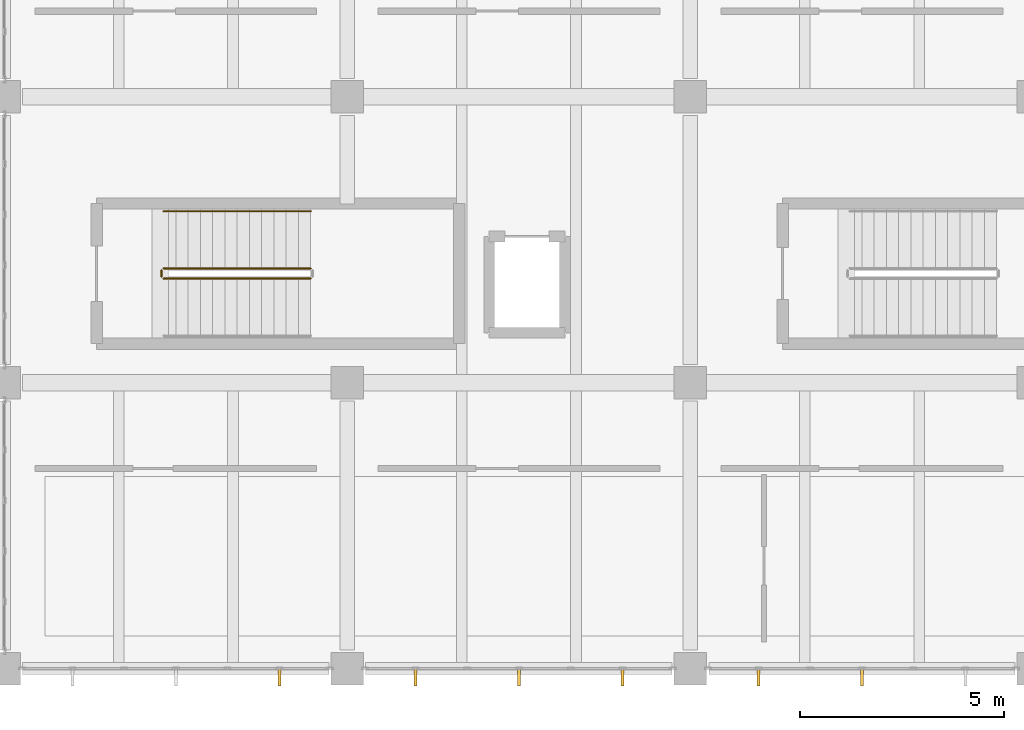
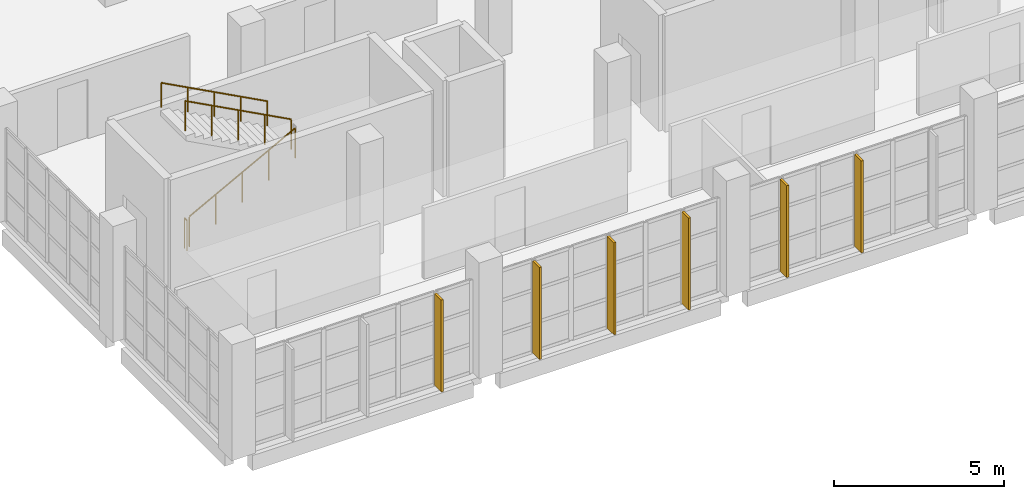
# One storey, part 159 of 177: 6 shading devices, 4 railings.
"""IFC4 building model written with IfcOpenShell, lengths in metres."""

from ifc_helpers import new_model, si_unit, direction, frame, origin, origin_2d, place, context, subcontext, project, spatial, rectangle, circle, extrude, material, type_object, element, save


model = new_model("IFC4")

# Units and contexts
model_context = context("Model", 3, precision=1e-05, world=origin(), true_north=direction((0.0, 1.0)))
body_context = subcontext(model_context, "Body", "Model", "MODEL_VIEW")
ifc_project = project(units=[si_unit("LENGTHUNIT", "METRE"), si_unit("AREAUNIT", "SQUARE_METRE"), si_unit("VOLUMEUNIT", "CUBIC_METRE"), si_unit("PLANEANGLEUNIT", "RADIAN"), si_unit("MASSUNIT", "GRAM", prefix="KILO"), si_unit("THERMODYNAMICTEMPERATUREUNIT", "KELVIN"), si_unit("POWERUNIT", "WATT")], contexts=[model_context])

# Site, building, storey
site_placement = place(None, origin())
site = spatial("IfcSite", under=ifc_project, at=site_placement, CompositionType="ELEMENT")
building_placement = place(site_placement, origin())
building = spatial("IfcBuilding", under=site, at=building_placement, Name="Mavoryth Pier Ferry Terminal", CompositionType="ELEMENT")
storey_placement = place(building_placement, frame((0.0, 0.0, 5.43994140625)))
storey = spatial("IfcBuildingStorey", under=building, at=storey_placement, Name="L01", CompositionType="ELEMENT", Elevation=5.43994140625)

# Shading devices
ifc_material_1 = material(Name="Anodised Aluminium Solar-Shading Fin", Category="aluminium")
shading_device_type = type_object("IfcShadingDeviceType", Name="Fin-BriseSoleil-400x75x3300", PredefinedType="SHUTTER", material=ifc_material_1)
for number, where, z_axis, x_axis, name in (
    (1, (48.7333984375, -0.22412109375, 0.0), (0.0, 0.0, 1.0), (1.0, 0.0, 0.0), "Solar Shading Fin 84"),
    (2, (52.066650390625, -0.22412109375, 0.0), (0.0, 0.0, 1.0), (1.0, 0.0, 0.0), "Solar Shading Fin 85"),
    (3, (54.60009765625, -0.22412109375, 0.0), (0.0, 0.0, 1.0), (1.0, 0.0, 0.0), "Solar Shading Fin 86"),
    (4, (57.13330078125, -0.22412109375, 0.0), (0.0, 0.0, 1.0), (1.0, 0.0, 0.0), "Solar Shading Fin 87"),
    (5, (60.466796875, -0.22412109375, 0.0), (0.0, 0.0, 1.0), (1.0, 0.0, 0.0), "Solar Shading Fin 88"),
    (6, (63.0, -0.22412109375, 0.0), (0.0, 0.0, 1.0), (1.0, 0.0, 0.0), "Solar Shading Fin 89"),
):
    element("IfcShadingDevice", number, at=place(storey_placement, frame(where, z_axis=z_axis, x_axis=x_axis)), inside=storey, type_object=shading_device_type, Name=name, PredefinedType="SHUTTER", context=body_context, shape_type="SweptSolid", body=[
        extrude(rectangle(XDim=0.074951171875, YDim=0.39990234375, at=origin_2d()), origin(), (0.0, 0.0, 1.0), 3.300048828125),
    ])

# Railings
ifc_material_2 = material(Name="Painted Galvanised Steel Balustrade", Category="steel")
railing_type_1 = type_object("IfcRailingType", Name="Guard-Stair-Steel1100", PredefinedType="GUARDRAIL", material=ifc_material_2)
railing_1_placement = place(storey_placement, frame((45.89990234375, 9.550048828125, 0.16015625)))
element("IfcRailing", 7, at=railing_1_placement, inside=storey, type_object=railing_type_1, Name="L01 ST11 stair guard 1", PredefinedType="GUARDRAIL", context=body_context, shape_type="SweptSolid", body=[
    extrude(circle(Radius=0.02392578125, at=origin_2d()), frame((0.0, 0.0, 1.076171875), z_axis=(0.882366192074, 0.0, 0.470563389019), x_axis=(0.0, 1.0, 0.0)), (0.0, 0.0, 1.0), 4.080078125),
    extrude(circle(Radius=0.02099609375, at=origin_2d()), origin(), (0.0, 0.0, 1.0), 1.052001953125),
    extrude(circle(Radius=0.02099609375, at=origin_2d()), frame((0.89990234375, 0.0, 0.47998046875)), (0.0, 0.0, 1.0), 1.052001953125),
    extrude(circle(Radius=0.02099609375, at=origin_2d()), frame((1.800048828125, 0.0, 0.9599609375)), (0.0, 0.0, 1.0), 1.052001953125),
    extrude(circle(Radius=0.02099609375, at=origin_2d()), frame((2.7001953125, 0.0, 1.43994140625)), (0.0, 0.0, 1.0), 1.052001953125),
    extrude(circle(Radius=0.02099609375, at=origin_2d()), frame((3.60009765625, 0.0, 1.919921875)), (0.0, 0.0, 1.0), 1.052001953125),
])
railing_2_placement = place(storey_placement, frame((49.5, 9.800048828125, 2.239990234375)))
element("IfcRailing", 8, at=railing_2_placement, inside=storey, type_object=railing_type_1, Name="L01 ST11 stair guard 3", PredefinedType="GUARDRAIL", context=body_context, shape_type="SweptSolid", body=[
    extrude(circle(Radius=0.02392578125, at=origin_2d()), frame((0.0, 0.0, 1.076171875), z_axis=(-0.882341346394, 0.0, 0.470609974867), x_axis=(0.0, -1.0, 0.0)), (0.0, 0.0, 1.0), 4.080078125),
    extrude(circle(Radius=0.02099609375, at=origin_2d()), origin(), (0.0, 0.0, 1.0), 1.052001953125),
    extrude(circle(Radius=0.02099609375, at=origin_2d()), frame((-0.89990234375, 0.0, 0.47998046875)), (0.0, 0.0, 1.0), 1.052001953125),
    extrude(circle(Radius=0.02099609375, at=origin_2d()), frame((-1.800048828125, 0.0, 0.9599609375)), (0.0, 0.0, 1.0), 1.052001953125),
    extrude(circle(Radius=0.02099609375, at=origin_2d()), frame((-2.7001953125, 0.0, 1.440185546875)), (0.0, 0.0, 1.0), 1.052001953125),
    extrude(circle(Radius=0.02099609375, at=origin_2d()), frame((-3.60009765625, 0.0, 1.920166015625)), (0.0, 0.0, 1.0), 1.052001953125),
])
railing_3_placement = place(storey_placement, frame((45.85009765625, 9.60009765625, 0.0)))
element("IfcRailing", 9, at=railing_3_placement, inside=storey, type_object=railing_type_1, Name="L01 ST11 stair guard 4", PredefinedType="GUARDRAIL", context=body_context, shape_type="SweptSolid", body=[
    extrude(circle(Radius=0.02392578125, at=origin_2d()), frame((0.0, 0.0, 1.076171875), z_axis=(0.0, 1.0, 0.0), x_axis=(-1.0, 0.0, 0.0)), (0.0, 0.0, 1.0), 0.14990234375),
    extrude(circle(Radius=0.02099609375, at=origin_2d()), origin(), (0.0, 0.0, 1.0), 1.052001953125),
    extrude(circle(Radius=0.02099609375, at=origin_2d()), frame((0.0, 0.14990234375, 0.0)), (0.0, 0.0, 1.0), 1.052001953125),
])
ifc_material_3 = material(Name="Brushed Stainless Steel Tubular Handrail", Category="steel")
railing_type_2 = type_object("IfcRailingType", Name="Handrail-Stair-SS900", PredefinedType="HANDRAIL", material=ifc_material_3)
railing_4_placement = place(storey_placement, frame((49.5, 11.199951171875, 2.239990234375)))
element("IfcRailing", 10, at=railing_4_placement, inside=storey, type_object=railing_type_2, Name="L01 ST11 stair handrail 2", PredefinedType="HANDRAIL", context=body_context, shape_type="SweptSolid", body=[
    extrude(circle(Radius=0.02392578125, at=origin_2d()), frame((0.0, 0.0, 0.8759765625), z_axis=(-0.882341346394, 0.0, 0.470609974867), x_axis=(0.0, -1.0, 0.0)), (0.0, 0.0, 1.0), 4.080078125),
    extrude(circle(Radius=0.02099609375, at=origin_2d()), origin(), (0.0, 0.0, 1.0), 0.851806640625),
    extrude(circle(Radius=0.02099609375, at=origin_2d()), frame((-0.89990234375, 0.0, 0.47998046875)), (0.0, 0.0, 1.0), 0.851806640625),
    extrude(circle(Radius=0.02099609375, at=origin_2d()), frame((-1.800048828125, 0.0, 0.9599609375)), (0.0, 0.0, 1.0), 0.851806640625),
    extrude(circle(Radius=0.02099609375, at=origin_2d()), frame((-2.7001953125, 0.0, 1.440185546875)), (0.0, 0.0, 1.0), 0.851806640625),
    extrude(circle(Radius=0.02099609375, at=origin_2d()), frame((-3.60009765625, 0.0, 1.920166015625)), (0.0, 0.0, 1.0), 0.851806640625),
])

save(model, "model.ifc")
